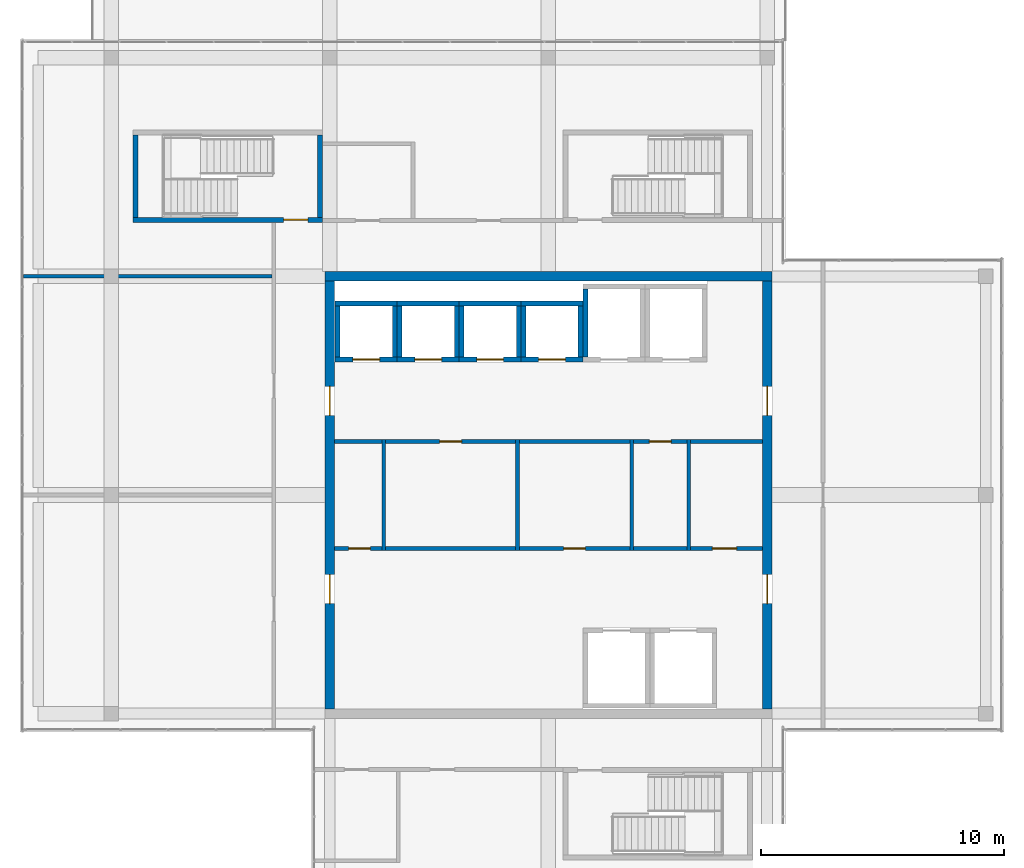
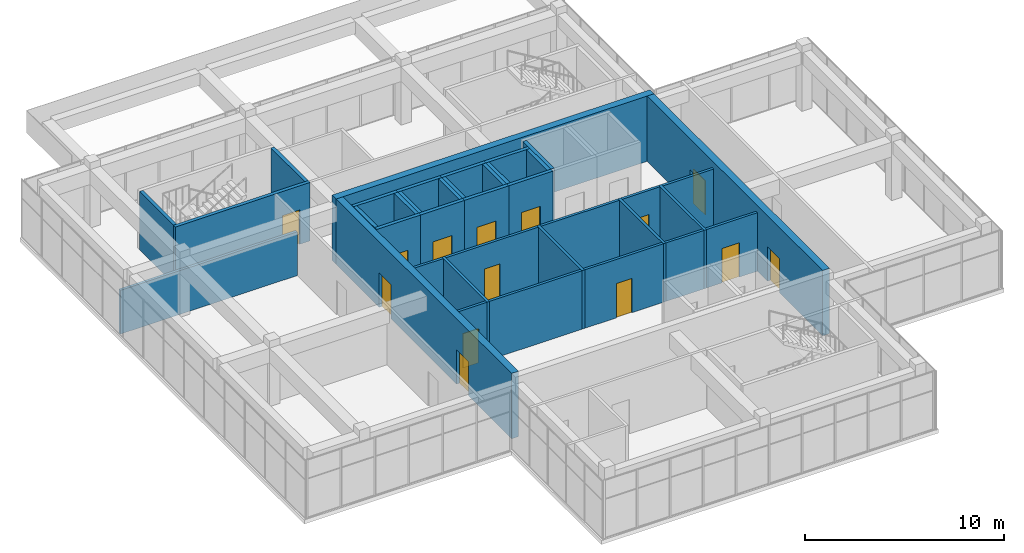
# One storey, part 32 of 35: 38 walls, 14 doors, 14 openings.
"""IFC4 building model written with IfcOpenShell, lengths in metres."""

from ifc_helpers import new_model, si_unit, direction, frame, frame_2d, origin, place, context, subcontext, project, spatial, rectangle, extrude, material, layer, layer_set, type_object, element, fill, save


model = new_model("IFC4")

# Units and contexts
model_context = context("Model", 3, precision=1e-05, world=origin(), true_north=direction((0.0, 1.0)))
body_context = subcontext(model_context, "Body", "Model", "MODEL_VIEW")
ifc_project = project(units=[si_unit("LENGTHUNIT", "METRE"), si_unit("AREAUNIT", "SQUARE_METRE"), si_unit("VOLUMEUNIT", "CUBIC_METRE"), si_unit("PLANEANGLEUNIT", "RADIAN"), si_unit("MASSUNIT", "GRAM", prefix="KILO")], contexts=[model_context])

# Site, building, storey
site_placement = place(None, origin())
site = spatial("IfcSite", under=ifc_project, at=site_placement, CompositionType="ELEMENT")
building_placement = place(site_placement, origin())
building = spatial("IfcBuilding", under=site, at=building_placement, Name="Tuart Plaza Theatre", CompositionType="ELEMENT")
storey_placement = place(building_placement, frame((0.0, 0.0, 49.5)))
storey = spatial("IfcBuildingStorey", under=building, at=storey_placement, Name="L12", CompositionType="ELEMENT", Elevation=49.5)

# Wall
ifc_material_1 = material(Name="Masonry block", Category="masonry")
ifc_layer_1 = layer(ifc_material_1, 0.14990234375)
ifc_layer_set_1 = layer_set([ifc_layer_1], Name="PARTITION BLK150 MASONRYB FRL -/120/120")
wall_type_1 = type_object("IfcWallType", Name="PARTITION BLK150 MASONRYB FRL -/120/120", PredefinedType="PARTITIONING", material=ifc_layer_set_1)
wall_1_placement = place(storey_placement, frame((125.22509765625, 71.72509765625, 0.0), z_axis=(0.0, 0.0, 1.0), x_axis=(0.0, 1.0, 0.0)))
element("IfcWall", 1, at=wall_1_placement, inside=storey, type_object=wall_type_1, Name="P666", PredefinedType="PARTITIONING", context=body_context, shape_type="SweptSolid", body=[
    extrude(rectangle(XDim=4.5498046875, YDim=0.14990234375, at=frame_2d((2.27490234375, 0.0))), origin(), (0.0, 0.0, 1.0), 3.580078125),
])

# Wall, opening, door
wall_2_placement = place(storey_placement, frame((123.199951171875, 71.800048828125, 0.0), z_axis=(0.0, 0.0, 1.0), x_axis=(1.0, 0.0, 0.0)))
wall_2 = element("IfcWall", 2, at=wall_2_placement, inside=storey, type_object=wall_type_1, Name="P667", PredefinedType="PARTITIONING", context=body_context, shape_type="SweptSolid", body=[
    extrude(rectangle(XDim=1.949951171875, YDim=0.14990234375, at=frame_2d((0.97509765625, 0.0))), origin(), (0.0, 0.0, 1.0), 3.580078125),
])
opening_1_placement = place(wall_2_placement, frame((0.574951171875, 0.0, 0.0)))
opening_1 = element("IfcOpeningElement", 3, at=opening_1_placement, cuts=wall_2, Name="Opening L12-016", PredefinedType="OPENING", context=body_context, shape_type="SweptSolid", body=[
    extrude(rectangle(XDim=0.89990234375, YDim=2.10009765625, at=frame_2d((0.449951171875, 1.050048828125))), frame((0.0, 0.0849609375, 0.0), z_axis=(0.0, -1.0, 0.0), x_axis=(1.0, 0.0, 0.0)), (0.0, 0.0, 1.0), 0.169921875),
])
ifc_material_2 = material(Name="Steel Grade 300", Category="steel")
door_type_1 = type_object("IfcDoorType", Name="DOOR 900x2100 steel single swing FRL -/120/30", OperationType="SINGLE_SWING_LEFT", PredefinedType="DOOR", material=ifc_material_2)
door_1_placement = place(opening_1_placement, origin())
door_1 = element("IfcDoor", 4, at=door_1_placement, inside=storey, type_object=door_type_1, Name="L12-016", OperationType="SINGLE_SWING_LEFT", OverallHeight=2.10009765625, OverallWidth=0.89990234375, PredefinedType="DOOR", context=body_context, shape_type="SweptSolid", body=[
    extrude(rectangle(XDim=0.89990234375, YDim=2.10009765625, at=frame_2d((0.449951171875, 1.050048828125))), frame((0.0, 0.02490234375, 0.0), z_axis=(0.0, -1.0, 0.0), x_axis=(1.0, 0.0, 0.0)), (0.0, 0.0, 1.0), 0.050048828125),
])
fill(opening_1, door_1)

# Walls
wall_3_placement = place(storey_placement, frame((123.199951171875, 76.199951171875, 0.0), z_axis=(0.0, 0.0, 1.0), x_axis=(1.0, 0.0, 0.0)))
element("IfcWall", 5, at=wall_3_placement, inside=storey, type_object=wall_type_1, Name="P668", PredefinedType="PARTITIONING", context=body_context, shape_type="SweptSolid", body=[
    extrude(rectangle(XDim=1.949951171875, YDim=0.14990234375, at=frame_2d((0.97509765625, 0.0))), origin(), (0.0, 0.0, 1.0), 3.580078125),
])
wall_4_placement = place(storey_placement, frame((130.72509765625, 71.72509765625, 0.0), z_axis=(0.0, 0.0, 1.0), x_axis=(0.0, 1.0, 0.0)))
element("IfcWall", 6, at=wall_4_placement, inside=storey, type_object=wall_type_1, Name="P669", PredefinedType="PARTITIONING", context=body_context, shape_type="SweptSolid", body=[
    extrude(rectangle(XDim=4.5498046875, YDim=0.14990234375, at=frame_2d((2.27490234375, 0.0))), origin(), (0.0, 0.0, 1.0), 3.580078125),
])
wall_5_placement = place(storey_placement, frame((125.300048828125, 71.800048828125, 0.0), z_axis=(0.0, 0.0, 1.0), x_axis=(1.0, 0.0, 0.0)))
element("IfcWall", 7, at=wall_5_placement, inside=storey, type_object=wall_type_1, Name="P670", PredefinedType="PARTITIONING", context=body_context, shape_type="SweptSolid", body=[
    extrude(rectangle(XDim=5.349853515625, YDim=0.14990234375, at=frame_2d((2.6748046875, 0.0))), origin(), (0.0, 0.0, 1.0), 3.580078125),
])

# Wall, opening, door
wall_6_placement = place(storey_placement, frame((125.300048828125, 76.199951171875, 0.0), z_axis=(0.0, 0.0, 1.0), x_axis=(1.0, 0.0, 0.0)))
wall_6 = element("IfcWall", 8, at=wall_6_placement, inside=storey, type_object=wall_type_1, Name="P671", PredefinedType="PARTITIONING", context=body_context, shape_type="SweptSolid", body=[
    extrude(rectangle(XDim=5.349853515625, YDim=0.14990234375, at=frame_2d((2.6748046875, 0.0))), origin(), (0.0, 0.0, 1.0), 3.580078125),
])
opening_2_placement = place(wall_6_placement, frame((2.22509765625, 0.0, 0.0)))
opening_2 = element("IfcOpeningElement", 9, at=opening_2_placement, cuts=wall_6, Name="Opening L12-017", PredefinedType="OPENING", context=body_context, shape_type="SweptSolid", body=[
    extrude(rectangle(XDim=0.89990234375, YDim=2.10009765625, at=frame_2d((0.449951171875, 1.050048828125))), frame((0.0, 0.0849609375, 0.0), z_axis=(0.0, -1.0, 0.0), x_axis=(1.0, 0.0, 0.0)), (0.0, 0.0, 1.0), 0.169921875),
])
door_2_placement = place(opening_2_placement, frame((0.89990234375, 0.0, 0.0), z_axis=(0.0, 0.0, 1.0), x_axis=(-1.0, 0.0, 0.0)))
door_2 = element("IfcDoor", 10, at=door_2_placement, inside=storey, type_object=door_type_1, Name="L12-017", OperationType="SINGLE_SWING_LEFT", OverallHeight=2.10009765625, OverallWidth=0.89990234375, PredefinedType="DOOR", context=body_context, shape_type="SweptSolid", body=[
    extrude(rectangle(XDim=0.89990234375, YDim=2.10009765625, at=frame_2d((0.449951171875, 1.050048828125))), frame((0.0, 0.02490234375, 0.0), z_axis=(0.0, -1.0, 0.0), x_axis=(1.0, 0.0, 0.0)), (0.0, 0.0, 1.0), 0.050048828125),
])
fill(opening_2, door_2)

# Wall
wall_7_placement = place(storey_placement, frame((135.425048828125, 71.72509765625, 0.0), z_axis=(0.0, 0.0, 1.0), x_axis=(0.0, 1.0, 0.0)))
element("IfcWall", 11, at=wall_7_placement, inside=storey, type_object=wall_type_1, Name="P672", PredefinedType="PARTITIONING", context=body_context, shape_type="SweptSolid", body=[
    extrude(rectangle(XDim=4.5498046875, YDim=0.14990234375, at=frame_2d((2.27490234375, 0.0))), origin(), (0.0, 0.0, 1.0), 3.580078125),
])

# Wall, opening, door
wall_8_placement = place(storey_placement, frame((130.800048828125, 71.800048828125, 0.0), z_axis=(0.0, 0.0, 1.0), x_axis=(1.0, 0.0, 0.0)))
wall_8 = element("IfcWall", 12, at=wall_8_placement, inside=storey, type_object=wall_type_1, Name="P673", PredefinedType="PARTITIONING", context=body_context, shape_type="SweptSolid", body=[
    extrude(rectangle(XDim=4.550048828125, YDim=0.14990234375, at=frame_2d((2.27490234375, 0.0))), origin(), (0.0, 0.0, 1.0), 3.580078125),
])
opening_3_placement = place(wall_8_placement, frame((1.824951171875, 0.0, 0.0)))
opening_3 = element("IfcOpeningElement", 13, at=opening_3_placement, cuts=wall_8, Name="Opening L12-018", PredefinedType="OPENING", context=body_context, shape_type="SweptSolid", body=[
    extrude(rectangle(XDim=0.89990234375, YDim=2.10009765625, at=frame_2d((0.449951171875, 1.050048828125))), frame((0.0, 0.0849609375, 0.0), z_axis=(0.0, -1.0, 0.0), x_axis=(1.0, 0.0, 0.0)), (0.0, 0.0, 1.0), 0.169921875),
])
door_3_placement = place(opening_3_placement, origin())
door_3 = element("IfcDoor", 14, at=door_3_placement, inside=storey, type_object=door_type_1, Name="L12-018", OperationType="SINGLE_SWING_LEFT", OverallHeight=2.10009765625, OverallWidth=0.89990234375, PredefinedType="DOOR", context=body_context, shape_type="SweptSolid", body=[
    extrude(rectangle(XDim=0.89990234375, YDim=2.10009765625, at=frame_2d((0.449951171875, 1.050048828125))), frame((0.0, 0.02490234375, 0.0), z_axis=(0.0, -1.0, 0.0), x_axis=(1.0, 0.0, 0.0)), (0.0, 0.0, 1.0), 0.050048828125),
])
fill(opening_3, door_3)

# Walls
wall_9_placement = place(storey_placement, frame((130.800048828125, 76.199951171875, 0.0), z_axis=(0.0, 0.0, 1.0), x_axis=(1.0, 0.0, 0.0)))
element("IfcWall", 15, at=wall_9_placement, inside=storey, type_object=wall_type_1, Name="P674", PredefinedType="PARTITIONING", context=body_context, shape_type="SweptSolid", body=[
    extrude(rectangle(XDim=4.550048828125, YDim=0.14990234375, at=frame_2d((2.27490234375, 0.0))), origin(), (0.0, 0.0, 1.0), 3.580078125),
])
wall_10_placement = place(storey_placement, frame((137.77490234375, 71.72509765625, 0.0), z_axis=(0.0, 0.0, 1.0), x_axis=(0.0, 1.0, 0.0)))
element("IfcWall", 16, at=wall_10_placement, inside=storey, type_object=wall_type_1, Name="P675", PredefinedType="PARTITIONING", context=body_context, shape_type="SweptSolid", body=[
    extrude(rectangle(XDim=4.5498046875, YDim=0.14990234375, at=frame_2d((2.27490234375, 0.0))), origin(), (0.0, 0.0, 1.0), 3.580078125),
])
wall_11_placement = place(storey_placement, frame((135.5, 71.800048828125, 0.0), z_axis=(0.0, 0.0, 1.0), x_axis=(1.0, 0.0, 0.0)))
element("IfcWall", 17, at=wall_11_placement, inside=storey, type_object=wall_type_1, Name="P676", PredefinedType="PARTITIONING", context=body_context, shape_type="SweptSolid", body=[
    extrude(rectangle(XDim=2.199951171875, YDim=0.14990234375, at=frame_2d((1.10009765625, 0.0))), origin(), (0.0, 0.0, 1.0), 3.580078125),
])

# Wall, opening, door
wall_12_placement = place(storey_placement, frame((135.5, 76.199951171875, 0.0), z_axis=(0.0, 0.0, 1.0), x_axis=(1.0, 0.0, 0.0)))
wall_12 = element("IfcWall", 18, at=wall_12_placement, inside=storey, type_object=wall_type_1, Name="P677", PredefinedType="PARTITIONING", context=body_context, shape_type="SweptSolid", body=[
    extrude(rectangle(XDim=2.199951171875, YDim=0.14990234375, at=frame_2d((1.10009765625, 0.0))), origin(), (0.0, 0.0, 1.0), 3.580078125),
])
opening_4_placement = place(wall_12_placement, frame((0.64990234375, 0.0, 0.0)))
opening_4 = element("IfcOpeningElement", 19, at=opening_4_placement, cuts=wall_12, Name="Opening L12-019", PredefinedType="OPENING", context=body_context, shape_type="SweptSolid", body=[
    extrude(rectangle(XDim=0.89990234375, YDim=2.10009765625, at=frame_2d((0.449951171875, 1.050048828125))), frame((0.0, 0.0849609375, 0.0), z_axis=(0.0, -1.0, 0.0), x_axis=(1.0, 0.0, 0.0)), (0.0, 0.0, 1.0), 0.169921875),
])
door_4_placement = place(opening_4_placement, frame((0.89990234375, 0.0, 0.0), z_axis=(0.0, 0.0, 1.0), x_axis=(-1.0, 0.0, 0.0)))
door_4 = element("IfcDoor", 20, at=door_4_placement, inside=storey, type_object=door_type_1, Name="L12-019", OperationType="SINGLE_SWING_LEFT", OverallHeight=2.10009765625, OverallWidth=0.89990234375, PredefinedType="DOOR", context=body_context, shape_type="SweptSolid", body=[
    extrude(rectangle(XDim=0.89990234375, YDim=2.10009765625, at=frame_2d((0.449951171875, 1.050048828125))), frame((0.0, 0.02490234375, 0.0), z_axis=(0.0, -1.0, 0.0), x_axis=(1.0, 0.0, 0.0)), (0.0, 0.0, 1.0), 0.050048828125),
])
fill(opening_4, door_4)

wall_13_placement = place(storey_placement, frame((137.85009765625, 71.800048828125, 0.0), z_axis=(0.0, 0.0, 1.0), x_axis=(1.0, 0.0, 0.0)))
wall_13 = element("IfcWall", 21, at=wall_13_placement, inside=storey, type_object=wall_type_1, Name="P678", PredefinedType="PARTITIONING", context=body_context, shape_type="SweptSolid", body=[
    extrude(rectangle(XDim=2.949951171875, YDim=0.14990234375, at=frame_2d((1.47509765625, 0.0))), origin(), (0.0, 0.0, 1.0), 3.580078125),
])
opening_5_placement = place(wall_13_placement, frame((0.89990234375, 0.0, 0.0)))
opening_5 = element("IfcOpeningElement", 22, at=opening_5_placement, cuts=wall_13, Name="Opening L12-020", PredefinedType="OPENING", context=body_context, shape_type="SweptSolid", body=[
    extrude(rectangle(XDim=1.0, YDim=2.10009765625, at=frame_2d((0.5, 1.050048828125))), frame((0.0, 0.0849609375, 0.0), z_axis=(0.0, -1.0, 0.0), x_axis=(1.0, 0.0, 0.0)), (0.0, 0.0, 1.0), 0.169921875),
])
ifc_material_3 = material(Name="Steel Grade 300", Category="steel")
door_type_2 = type_object("IfcDoorType", Name="DOOR 1000x2100 steel single swing FRL -/120/30", OperationType="SINGLE_SWING_LEFT", PredefinedType="DOOR", material=ifc_material_3)
door_5_placement = place(opening_5_placement, origin())
door_5 = element("IfcDoor", 23, at=door_5_placement, inside=storey, type_object=door_type_2, Name="L12-020", OperationType="SINGLE_SWING_RIGHT", OverallHeight=2.10009765625, OverallWidth=1.0, PredefinedType="DOOR", context=body_context, shape_type="SweptSolid", body=[
    extrude(rectangle(XDim=1.0, YDim=2.10009765625, at=frame_2d((0.5, 1.050048828125))), frame((0.0, 0.02490234375, 0.0), z_axis=(0.0, -1.0, 0.0), x_axis=(1.0, 0.0, 0.0)), (0.0, 0.0, 1.0), 0.050048828125),
])
fill(opening_5, door_5)

# Walls
wall_14_placement = place(storey_placement, frame((137.85009765625, 76.199951171875, 0.0), z_axis=(0.0, 0.0, 1.0), x_axis=(1.0, 0.0, 0.0)))
element("IfcWall", 24, at=wall_14_placement, inside=storey, type_object=wall_type_1, Name="P679", PredefinedType="PARTITIONING", context=body_context, shape_type="SweptSolid", body=[
    extrude(rectangle(XDim=2.949951171875, YDim=0.14990234375, at=frame_2d((1.47509765625, 0.0))), origin(), (0.0, 0.0, 1.0), 3.580078125),
])
ifc_material_4 = material(Name="Masonry block", Category="masonry")
ifc_layer_2 = layer(ifc_material_4, 0.14990234375)
ifc_layer_set_2 = layer_set([ifc_layer_2], Name="PARTITION BLK150 MASONRYB FRL 120/-/-")
wall_type_2 = type_object("IfcWallType", Name="PARTITION BLK150 MASONRYB FRL 120/-/-", PredefinedType="PARTITIONING", material=ifc_layer_set_2)
wall_15_placement = place(storey_placement, frame((110.39990234375, 83.0, 0.0), z_axis=(0.0, 0.0, 1.0), x_axis=(1.0, 0.0, 0.0)))
element("IfcWall", 25, at=wall_15_placement, inside=storey, type_object=wall_type_2, Name="P687", PredefinedType="PARTITIONING", context=body_context, shape_type="SweptSolid", body=[
    extrude(rectangle(XDim=10.22607421875, YDim=0.14990234375, at=frame_2d((5.113037109375, 0.0))), origin(), (0.0, 0.0, 1.0), 2.679931640625),
])

# Wall, opening, door
ifc_material_5 = material(Name="Concrete N40 (40 MPa)", Category="concrete")
ifc_layer_3 = layer(ifc_material_5, 0.199951171875)
ifc_layer_set_3 = layer_set([ifc_layer_3], Name="SHEAR WALL RC200 FRL 120/120/120")
wall_type_3 = type_object("IfcWallType", Name="SHEAR WALL RC200 FRL 120/120/120", PredefinedType="SHEAR", material=ifc_layer_set_3)
wall_16_placement = place(storey_placement, frame((123.22509765625, 79.574951171875, 0.0), z_axis=(0.0, 0.0, 1.0), x_axis=(1.0, 0.0, 0.0)))
wall_16 = element("IfcWall", 26, at=wall_16_placement, inside=storey, type_object=wall_type_3, Name="W774", PredefinedType="SHEAR", context=body_context, shape_type="SweptSolid", body=[
    extrude(rectangle(XDim=2.5498046875, YDim=0.199951171875, at=frame_2d((1.27490234375, 0.0))), origin(), (0.0, 0.0, 1.0), 4.0),
])
opening_6_placement = place(wall_16_placement, frame((0.72509765625, 0.0, 0.0)))
opening_6 = element("IfcOpeningElement", 27, at=opening_6_placement, cuts=wall_16, Name="Opening L12-001", PredefinedType="OPENING", context=body_context, shape_type="SweptSolid", body=[
    extrude(rectangle(XDim=1.10009765625, YDim=2.10009765625, at=frame_2d((0.550048828125, 1.050048828125))), frame((0.0, 0.10986328125, 0.0), z_axis=(0.0, -1.0, 0.0), x_axis=(1.0, 0.0, 0.0)), (0.0, 0.0, 1.0), 0.219970703125),
])
ifc_material_6 = material(Name="Steel Grade 300", Category="steel")
door_type_3 = type_object("IfcDoorType", Name="LANDING DOOR 1100x2100 steel sliding FRL -/120/30", OperationType="SLIDING_TO_LEFT", PredefinedType="DOOR", material=ifc_material_6)
door_6_placement = place(opening_6_placement, origin())
door_6 = element("IfcDoor", 28, at=door_6_placement, inside=storey, type_object=door_type_3, Name="L12-001", OperationType="SLIDING_TO_LEFT", OverallHeight=2.10009765625, OverallWidth=1.10009765625, PredefinedType="DOOR", context=body_context, shape_type="SweptSolid", body=[
    extrude(rectangle(XDim=1.10009765625, YDim=2.10009765625, at=frame_2d((0.550048828125, 1.050048828125))), frame((0.0, 0.02490234375, 0.0), z_axis=(0.0, -1.0, 0.0), x_axis=(1.0, 0.0, 0.0)), (0.0, 0.0, 1.0), 0.050048828125),
])
fill(opening_6, door_6)

# Walls
wall_17_placement = place(storey_placement, frame((125.675048828125, 79.675048828125, 0.0), z_axis=(0.0, 0.0, 1.0), x_axis=(0.0, 1.0, 0.0)))
element("IfcWall", 29, at=wall_17_placement, inside=storey, type_object=wall_type_3, Name="W775", PredefinedType="SHEAR", context=body_context, shape_type="SweptSolid", body=[
    extrude(rectangle(XDim=2.099853515625, YDim=0.199951171875, at=frame_2d((1.0498046875, 0.0))), origin(), (0.0, 0.0, 1.0), 4.0),
])
wall_18_placement = place(storey_placement, frame((125.77490234375, 81.875, 0.0), z_axis=(0.0, 0.0, 1.0), x_axis=(-1.0, 0.0, 0.0)))
element("IfcWall", 30, at=wall_18_placement, inside=storey, type_object=wall_type_3, Name="W776", PredefinedType="SHEAR", context=body_context, shape_type="SweptSolid", body=[
    extrude(rectangle(XDim=2.5498046875, YDim=0.199951171875, at=frame_2d((1.27490234375, 0.0))), origin(), (0.0, 0.0, 1.0), 4.0),
])
wall_19_placement = place(storey_placement, frame((123.324951171875, 81.77490234375, 0.0), z_axis=(0.0, 0.0, 1.0), x_axis=(0.0, -1.0, 0.0)))
element("IfcWall", 31, at=wall_19_placement, inside=storey, type_object=wall_type_3, Name="W777", PredefinedType="SHEAR", context=body_context, shape_type="SweptSolid", body=[
    extrude(rectangle(XDim=2.099853515625, YDim=0.199951171875, at=frame_2d((1.0498046875, 0.0))), origin(), (0.0, 0.0, 1.0), 4.0),
])

# Wall, opening, door
wall_20_placement = place(storey_placement, frame((125.77490234375, 79.574951171875, 0.0), z_axis=(0.0, 0.0, 1.0), x_axis=(1.0, 0.0, 0.0)))
wall_20 = element("IfcWall", 32, at=wall_20_placement, inside=storey, type_object=wall_type_3, Name="W846", PredefinedType="SHEAR", context=body_context, shape_type="SweptSolid", body=[
    extrude(rectangle(XDim=2.550048828125, YDim=0.199951171875, at=frame_2d((1.27490234375, 0.0))), origin(), (0.0, 0.0, 1.0), 4.0),
])
opening_7_placement = place(wall_20_placement, frame((0.72509765625, 0.0, 0.0)))
opening_7 = element("IfcOpeningElement", 33, at=opening_7_placement, cuts=wall_20, Name="Opening L12-002", PredefinedType="OPENING", context=body_context, shape_type="SweptSolid", body=[
    extrude(rectangle(XDim=1.10009765625, YDim=2.10009765625, at=frame_2d((0.550048828125, 1.050048828125))), frame((0.0, 0.10986328125, 0.0), z_axis=(0.0, -1.0, 0.0), x_axis=(1.0, 0.0, 0.0)), (0.0, 0.0, 1.0), 0.219970703125),
])
door_7_placement = place(opening_7_placement, origin())
door_7 = element("IfcDoor", 34, at=door_7_placement, inside=storey, type_object=door_type_3, Name="L12-002", OperationType="SLIDING_TO_LEFT", OverallHeight=2.10009765625, OverallWidth=1.10009765625, PredefinedType="DOOR", context=body_context, shape_type="SweptSolid", body=[
    extrude(rectangle(XDim=1.10009765625, YDim=2.10009765625, at=frame_2d((0.550048828125, 1.050048828125))), frame((0.0, 0.02490234375, 0.0), z_axis=(0.0, -1.0, 0.0), x_axis=(1.0, 0.0, 0.0)), (0.0, 0.0, 1.0), 0.050048828125),
])
fill(opening_7, door_7)

# Walls
wall_21_placement = place(storey_placement, frame((128.22509765625, 79.675048828125, 0.0), z_axis=(0.0, 0.0, 1.0), x_axis=(0.0, 1.0, 0.0)))
element("IfcWall", 35, at=wall_21_placement, inside=storey, type_object=wall_type_3, Name="W847", PredefinedType="SHEAR", context=body_context, shape_type="SweptSolid", body=[
    extrude(rectangle(XDim=2.099853515625, YDim=0.199951171875, at=frame_2d((1.0498046875, 0.0))), origin(), (0.0, 0.0, 1.0), 4.0),
])
wall_22_placement = place(storey_placement, frame((128.324951171875, 81.875, 0.0), z_axis=(0.0, 0.0, 1.0), x_axis=(-1.0, 0.0, 0.0)))
element("IfcWall", 36, at=wall_22_placement, inside=storey, type_object=wall_type_3, Name="W848", PredefinedType="SHEAR", context=body_context, shape_type="SweptSolid", body=[
    extrude(rectangle(XDim=2.550048828125, YDim=0.199951171875, at=frame_2d((1.27490234375, 0.0))), origin(), (0.0, 0.0, 1.0), 4.0),
])
wall_23_placement = place(storey_placement, frame((125.875, 81.77490234375, 0.0), z_axis=(0.0, 0.0, 1.0), x_axis=(0.0, -1.0, 0.0)))
element("IfcWall", 37, at=wall_23_placement, inside=storey, type_object=wall_type_3, Name="W849", PredefinedType="SHEAR", context=body_context, shape_type="SweptSolid", body=[
    extrude(rectangle(XDim=2.099853515625, YDim=0.199951171875, at=frame_2d((1.0498046875, 0.0))), origin(), (0.0, 0.0, 1.0), 4.0),
])

# Wall, opening, door
wall_24_placement = place(storey_placement, frame((128.324951171875, 79.574951171875, 0.0), z_axis=(0.0, 0.0, 1.0), x_axis=(1.0, 0.0, 0.0)))
wall_24 = element("IfcWall", 38, at=wall_24_placement, inside=storey, type_object=wall_type_3, Name="W918", PredefinedType="SHEAR", context=body_context, shape_type="SweptSolid", body=[
    extrude(rectangle(XDim=2.550048828125, YDim=0.199951171875, at=frame_2d((1.27490234375, 0.0))), origin(), (0.0, 0.0, 1.0), 4.0),
])
opening_8_placement = place(wall_24_placement, frame((0.72509765625, 0.0, 0.0)))
opening_8 = element("IfcOpeningElement", 39, at=opening_8_placement, cuts=wall_24, Name="Opening L12-003", PredefinedType="OPENING", context=body_context, shape_type="SweptSolid", body=[
    extrude(rectangle(XDim=1.10009765625, YDim=2.10009765625, at=frame_2d((0.550048828125, 1.050048828125))), frame((0.0, 0.10986328125, 0.0), z_axis=(0.0, -1.0, 0.0), x_axis=(1.0, 0.0, 0.0)), (0.0, 0.0, 1.0), 0.219970703125),
])
door_8_placement = place(opening_8_placement, origin())
door_8 = element("IfcDoor", 40, at=door_8_placement, inside=storey, type_object=door_type_3, Name="L12-003", OperationType="SLIDING_TO_LEFT", OverallHeight=2.10009765625, OverallWidth=1.10009765625, PredefinedType="DOOR", context=body_context, shape_type="SweptSolid", body=[
    extrude(rectangle(XDim=1.10009765625, YDim=2.10009765625, at=frame_2d((0.550048828125, 1.050048828125))), frame((0.0, 0.02490234375, 0.0), z_axis=(0.0, -1.0, 0.0), x_axis=(1.0, 0.0, 0.0)), (0.0, 0.0, 1.0), 0.050048828125),
])
fill(opening_8, door_8)

# Walls
wall_25_placement = place(storey_placement, frame((130.77490234375, 79.675048828125, 0.0), z_axis=(0.0, 0.0, 1.0), x_axis=(0.0, 1.0, 0.0)))
element("IfcWall", 41, at=wall_25_placement, inside=storey, type_object=wall_type_3, Name="W919", PredefinedType="SHEAR", context=body_context, shape_type="SweptSolid", body=[
    extrude(rectangle(XDim=2.099853515625, YDim=0.199951171875, at=frame_2d((1.0498046875, 0.0))), origin(), (0.0, 0.0, 1.0), 4.0),
])
wall_26_placement = place(storey_placement, frame((130.875, 81.875, 0.0), z_axis=(0.0, 0.0, 1.0), x_axis=(-1.0, 0.0, 0.0)))
element("IfcWall", 42, at=wall_26_placement, inside=storey, type_object=wall_type_3, Name="W920", PredefinedType="SHEAR", context=body_context, shape_type="SweptSolid", body=[
    extrude(rectangle(XDim=2.550048828125, YDim=0.199951171875, at=frame_2d((1.27490234375, 0.0))), origin(), (0.0, 0.0, 1.0), 4.0),
])
wall_27_placement = place(storey_placement, frame((128.425048828125, 81.77490234375, 0.0), z_axis=(0.0, 0.0, 1.0), x_axis=(0.0, -1.0, 0.0)))
element("IfcWall", 43, at=wall_27_placement, inside=storey, type_object=wall_type_3, Name="W921", PredefinedType="SHEAR", context=body_context, shape_type="SweptSolid", body=[
    extrude(rectangle(XDim=2.099853515625, YDim=0.199951171875, at=frame_2d((1.0498046875, 0.0))), origin(), (0.0, 0.0, 1.0), 4.0),
])

# Wall, opening, door
wall_28_placement = place(storey_placement, frame((130.875, 79.574951171875, 0.0), z_axis=(0.0, 0.0, 1.0), x_axis=(1.0, 0.0, 0.0)))
wall_28 = element("IfcWall", 44, at=wall_28_placement, inside=storey, type_object=wall_type_3, Name="W990", PredefinedType="SHEAR", context=body_context, shape_type="SweptSolid", body=[
    extrude(rectangle(XDim=2.550048828125, YDim=0.199951171875, at=frame_2d((1.27490234375, 0.0))), origin(), (0.0, 0.0, 1.0), 4.0),
])
opening_9_placement = place(wall_28_placement, frame((0.72509765625, 0.0, 0.0)))
opening_9 = element("IfcOpeningElement", 45, at=opening_9_placement, cuts=wall_28, Name="Opening L12-004", PredefinedType="OPENING", context=body_context, shape_type="SweptSolid", body=[
    extrude(rectangle(XDim=1.10009765625, YDim=2.10009765625, at=frame_2d((0.550048828125, 1.050048828125))), frame((0.0, 0.10986328125, 0.0), z_axis=(0.0, -1.0, 0.0), x_axis=(1.0, 0.0, 0.0)), (0.0, 0.0, 1.0), 0.219970703125),
])
door_9_placement = place(opening_9_placement, origin())
door_9 = element("IfcDoor", 46, at=door_9_placement, inside=storey, type_object=door_type_3, Name="L12-004", OperationType="SLIDING_TO_LEFT", OverallHeight=2.10009765625, OverallWidth=1.10009765625, PredefinedType="DOOR", context=body_context, shape_type="SweptSolid", body=[
    extrude(rectangle(XDim=1.10009765625, YDim=2.10009765625, at=frame_2d((0.550048828125, 1.050048828125))), frame((0.0, 0.02490234375, 0.0), z_axis=(0.0, -1.0, 0.0), x_axis=(1.0, 0.0, 0.0)), (0.0, 0.0, 1.0), 0.050048828125),
])
fill(opening_9, door_9)

# Walls
wall_29_placement = place(storey_placement, frame((133.324951171875, 79.675048828125, 0.0), z_axis=(0.0, 0.0, 1.0), x_axis=(0.0, 1.0, 0.0)))
element("IfcWall", 47, at=wall_29_placement, inside=storey, type_object=wall_type_3, Name="W991", PredefinedType="SHEAR", context=body_context, shape_type="SweptSolid", body=[
    extrude(rectangle(XDim=2.099853515625, YDim=0.199951171875, at=frame_2d((1.0498046875, 0.0))), origin(), (0.0, 0.0, 1.0), 4.0),
])
wall_30_placement = place(storey_placement, frame((133.425048828125, 81.875, 0.0), z_axis=(0.0, 0.0, 1.0), x_axis=(-1.0, 0.0, 0.0)))
element("IfcWall", 48, at=wall_30_placement, inside=storey, type_object=wall_type_3, Name="W992", PredefinedType="SHEAR", context=body_context, shape_type="SweptSolid", body=[
    extrude(rectangle(XDim=2.550048828125, YDim=0.199951171875, at=frame_2d((1.27490234375, 0.0))), origin(), (0.0, 0.0, 1.0), 4.0),
])
wall_31_placement = place(storey_placement, frame((130.97509765625, 81.77490234375, 0.0), z_axis=(0.0, 0.0, 1.0), x_axis=(0.0, -1.0, 0.0)))
element("IfcWall", 49, at=wall_31_placement, inside=storey, type_object=wall_type_3, Name="W993", PredefinedType="SHEAR", context=body_context, shape_type="SweptSolid", body=[
    extrude(rectangle(XDim=2.099853515625, YDim=0.199951171875, at=frame_2d((1.0498046875, 0.0))), origin(), (0.0, 0.0, 1.0), 4.0),
])
wall_32_placement = place(storey_placement, frame((133.52490234375, 82.47509765625, 0.0), z_axis=(0.0, 0.0, 1.0), x_axis=(0.0, -1.0, 0.0)))
element("IfcWall", 50, at=wall_32_placement, inside=storey, type_object=wall_type_3, Name="W1217", PredefinedType="SHEAR", context=body_context, shape_type="SweptSolid", body=[
    extrude(rectangle(XDim=2.800048828125, YDim=0.199951171875, at=frame_2d((1.39990234375, 0.0))), origin(), (0.0, 0.0, 1.0), 4.0),
])

# Wall, opening, door
wall_33_placement = place(storey_placement, frame((114.89990234375, 85.324951171875, 0.0), z_axis=(0.0, 0.0, 1.0), x_axis=(1.0, 0.0, 0.0)))
wall_33 = element("IfcWall", 51, at=wall_33_placement, inside=storey, type_object=wall_type_3, Name="P464", PredefinedType="SHEAR", context=body_context, shape_type="SweptSolid", body=[
    extrude(rectangle(XDim=7.800048828125, YDim=0.199951171875, at=frame_2d((3.89990234375, 0.0))), origin(), (0.0, 0.0, 1.0), 3.580078125),
])
opening_10_placement = place(wall_33_placement, frame((6.199951171875, 0.0, 0.0)))
opening_10 = element("IfcOpeningElement", 52, at=opening_10_placement, cuts=wall_33, Name="Opening L12-011", PredefinedType="OPENING", context=body_context, shape_type="SweptSolid", body=[
    extrude(rectangle(XDim=1.0, YDim=2.10009765625, at=frame_2d((0.5, 1.050048828125))), frame((0.0, 0.10986328125, 0.0), z_axis=(0.0, -1.0, 0.0), x_axis=(1.0, 0.0, 0.0)), (0.0, 0.0, 1.0), 0.219970703125),
])
door_10_placement = place(opening_10_placement, origin())
door_10 = element("IfcDoor", 53, at=door_10_placement, inside=storey, type_object=door_type_2, Name="L12-011", OperationType="SINGLE_SWING_LEFT", OverallHeight=2.10009765625, OverallWidth=1.0, PredefinedType="DOOR", context=body_context, shape_type="SweptSolid", body=[
    extrude(rectangle(XDim=1.0, YDim=2.10009765625, at=frame_2d((0.5, 1.050048828125))), frame((0.0, 0.02490234375, 0.0), z_axis=(0.0, -1.0, 0.0), x_axis=(1.0, 0.0, 0.0)), (0.0, 0.0, 1.0), 0.050048828125),
])
fill(opening_10, door_10)

# Walls
for number, where, z_axis, x_axis, name in (
    (54, (122.60009765625, 85.425048828125, 0.0), (0.0, 0.0, 1.0), (0.0, 1.0, 0.0), "P465"),
    (55, (115.0, 88.824951171875, 0.0), (0.0, 0.0, 1.0), (0.0, -1.0, 0.0), "P467"),
):
    element("IfcWall", number, at=place(storey_placement, frame(where, z_axis=z_axis, x_axis=x_axis)), inside=storey, type_object=wall_type_3, Name=name, PredefinedType="SHEAR", context=body_context, shape_type="SweptSolid", body=[
        extrude(rectangle(XDim=3.39990234375, YDim=0.199951171875, at=frame_2d((1.699951171875, 0.0))), origin(), (0.0, 0.0, 1.0), 3.580078125),
    ])

# Wall, openings, doors
ifc_material_7 = material(Name="Concrete N50 (50 MPa)", Category="concrete")
ifc_layer_4 = layer(ifc_material_7, 0.39990234375)
ifc_layer_set_4 = layer_set([ifc_layer_4], Name="SHEAR WALL RC400 N50 FRL 120/120/120")
wall_type_4 = type_object("IfcWallType", Name="SHEAR WALL RC400 N50 FRL 120/120/120", PredefinedType="SHEAR", material=ifc_layer_set_4)
wall_34_placement = place(storey_placement, frame((141.0, 65.199951171875, 0.0), z_axis=(0.0, 0.0, 1.0), x_axis=(0.0, 1.0, 0.0)))
wall_34 = element("IfcWall", 56, at=wall_34_placement, inside=storey, type_object=wall_type_4, Name="W412", PredefinedType="SHEAR", context=body_context, shape_type="SweptSolid", body=[
    extrude(rectangle(XDim=17.60009765625, YDim=0.39990234375, at=frame_2d((8.800048828125, 0.0))), origin(), (0.0, 0.0, 1.0), 4.0),
])
opening_11_placement = place(wall_34_placement, frame((4.324951171875, 0.0, 0.0)))
opening_11 = element("IfcOpeningElement", 57, at=opening_11_placement, cuts=wall_34, Name="Opening L12-013", PredefinedType="OPENING", context=body_context, shape_type="SweptSolid", body=[
    extrude(rectangle(XDim=1.199951171875, YDim=2.10009765625, at=frame_2d((0.60009765625, 1.050048828125))), frame((0.0, 0.2099609375, 0.0), z_axis=(0.0, -1.0, 0.0), x_axis=(1.0, 0.0, 0.0)), (0.0, 0.0, 1.0), 0.419921875),
])
opening_12_placement = place(wall_34_placement, frame((12.074951171875, 0.0, 0.0)))
opening_12 = element("IfcOpeningElement", 58, at=opening_12_placement, cuts=wall_34, Name="Opening L12-015", PredefinedType="OPENING", context=body_context, shape_type="SweptSolid", body=[
    extrude(rectangle(XDim=1.199951171875, YDim=2.10009765625, at=frame_2d((0.60009765625, 1.050048828125))), frame((0.0, 0.2099609375, 0.0), z_axis=(0.0, -1.0, 0.0), x_axis=(1.0, 0.0, 0.0)), (0.0, 0.0, 1.0), 0.419921875),
])
ifc_material_8 = material(Name="Steel Grade 300", Category="steel")
door_type_4 = type_object("IfcDoorType", Name="DOOR 1200x2100 steel single swing FRL -/120/30", OperationType="SINGLE_SWING_LEFT", PredefinedType="DOOR", material=ifc_material_8)
door_11_placement = place(opening_11_placement, frame((1.199951171875, 0.0, 0.0), z_axis=(0.0, 0.0, 1.0), x_axis=(-1.0, 0.0, 0.0)))
door_11 = element("IfcDoor", 59, at=door_11_placement, inside=storey, type_object=door_type_4, Name="L12-013", OperationType="SINGLE_SWING_LEFT", OverallHeight=2.10009765625, OverallWidth=1.199951171875, PredefinedType="DOOR", context=body_context, shape_type="SweptSolid", body=[
    extrude(rectangle(XDim=1.199951171875, YDim=2.10009765625, at=frame_2d((0.60009765625, 1.050048828125))), frame((0.0, 0.02490234375, 0.0), z_axis=(0.0, -1.0, 0.0), x_axis=(1.0, 0.0, 0.0)), (0.0, 0.0, 1.0), 0.050048828125),
])
fill(opening_11, door_11)
door_12_placement = place(opening_12_placement, frame((1.199951171875, 0.0, 0.0), z_axis=(0.0, 0.0, 1.0), x_axis=(-1.0, 0.0, 0.0)))
door_12 = element("IfcDoor", 60, at=door_12_placement, inside=storey, type_object=door_type_4, Name="L12-015", OperationType="SINGLE_SWING_RIGHT", OverallHeight=2.10009765625, OverallWidth=1.199951171875, PredefinedType="DOOR", context=body_context, shape_type="SweptSolid", body=[
    extrude(rectangle(XDim=1.199951171875, YDim=2.10009765625, at=frame_2d((0.60009765625, 1.050048828125))), frame((0.0, 0.02490234375, 0.0), z_axis=(0.0, -1.0, 0.0), x_axis=(1.0, 0.0, 0.0)), (0.0, 0.0, 1.0), 0.050048828125),
])
fill(opening_12, door_12)

# Wall
wall_35_placement = place(storey_placement, frame((141.199951171875, 83.0, 0.0), z_axis=(0.0, 0.0, 1.0), x_axis=(-1.0, 0.0, 0.0)))
element("IfcWall", 61, at=wall_35_placement, inside=storey, type_object=wall_type_4, Name="W413", PredefinedType="SHEAR", context=body_context, shape_type="SweptSolid", body=[
    extrude(rectangle(XDim=18.39990234375, YDim=0.39990234375, at=frame_2d((9.199951171875, 0.0))), origin(), (0.0, 0.0, 1.0), 4.0),
])

# Wall, openings, doors
wall_36_placement = place(storey_placement, frame((123.0, 82.800048828125, 0.0), z_axis=(0.0, 0.0, 1.0), x_axis=(0.0, -1.0, 0.0)))
wall_36 = element("IfcWall", 62, at=wall_36_placement, inside=storey, type_object=wall_type_4, Name="W414", PredefinedType="SHEAR", context=body_context, shape_type="SweptSolid", body=[
    extrude(rectangle(XDim=17.60009765625, YDim=0.39990234375, at=frame_2d((8.800048828125, 0.0))), origin(), (0.0, 0.0, 1.0), 4.0),
])
opening_13_placement = place(wall_36_placement, frame((12.074951171875, 0.0, 0.0)))
opening_13 = element("IfcOpeningElement", 63, at=opening_13_placement, cuts=wall_36, Name="Opening L12-012", PredefinedType="OPENING", context=body_context, shape_type="SweptSolid", body=[
    extrude(rectangle(XDim=1.199951171875, YDim=2.10009765625, at=frame_2d((0.60009765625, 1.050048828125))), frame((0.0, 0.2099609375, 0.0), z_axis=(0.0, -1.0, 0.0), x_axis=(1.0, 0.0, 0.0)), (0.0, 0.0, 1.0), 0.419921875),
])
opening_14_placement = place(wall_36_placement, frame((4.324951171875, 0.0, 0.0)))
opening_14 = element("IfcOpeningElement", 64, at=opening_14_placement, cuts=wall_36, Name="Opening L12-014", PredefinedType="OPENING", context=body_context, shape_type="SweptSolid", body=[
    extrude(rectangle(XDim=1.199951171875, YDim=2.10009765625, at=frame_2d((0.60009765625, 1.050048828125))), frame((0.0, 0.2099609375, 0.0), z_axis=(0.0, -1.0, 0.0), x_axis=(1.0, 0.0, 0.0)), (0.0, 0.0, 1.0), 0.419921875),
])
door_13_placement = place(opening_13_placement, frame((1.199951171875, 0.0, 0.0), z_axis=(0.0, 0.0, 1.0), x_axis=(-1.0, 0.0, 0.0)))
door_13 = element("IfcDoor", 65, at=door_13_placement, inside=storey, type_object=door_type_4, Name="L12-012", OperationType="SINGLE_SWING_RIGHT", OverallHeight=2.10009765625, OverallWidth=1.199951171875, PredefinedType="DOOR", context=body_context, shape_type="SweptSolid", body=[
    extrude(rectangle(XDim=1.199951171875, YDim=2.10009765625, at=frame_2d((0.60009765625, 1.050048828125))), frame((0.0, 0.02490234375, 0.0), z_axis=(0.0, -1.0, 0.0), x_axis=(1.0, 0.0, 0.0)), (0.0, 0.0, 1.0), 0.050048828125),
])
fill(opening_13, door_13)
door_14_placement = place(opening_14_placement, frame((1.199951171875, 0.0, 0.0), z_axis=(0.0, 0.0, 1.0), x_axis=(-1.0, 0.0, 0.0)))
door_14 = element("IfcDoor", 66, at=door_14_placement, inside=storey, type_object=door_type_4, Name="L12-014", OperationType="SINGLE_SWING_LEFT", OverallHeight=2.10009765625, OverallWidth=1.199951171875, PredefinedType="DOOR", context=body_context, shape_type="SweptSolid", body=[
    extrude(rectangle(XDim=1.199951171875, YDim=2.10009765625, at=frame_2d((0.60009765625, 1.050048828125))), frame((0.0, 0.02490234375, 0.0), z_axis=(0.0, -1.0, 0.0), x_axis=(1.0, 0.0, 0.0)), (0.0, 0.0, 1.0), 0.050048828125),
])
fill(opening_14, door_14)

save(model, "model.ifc")
